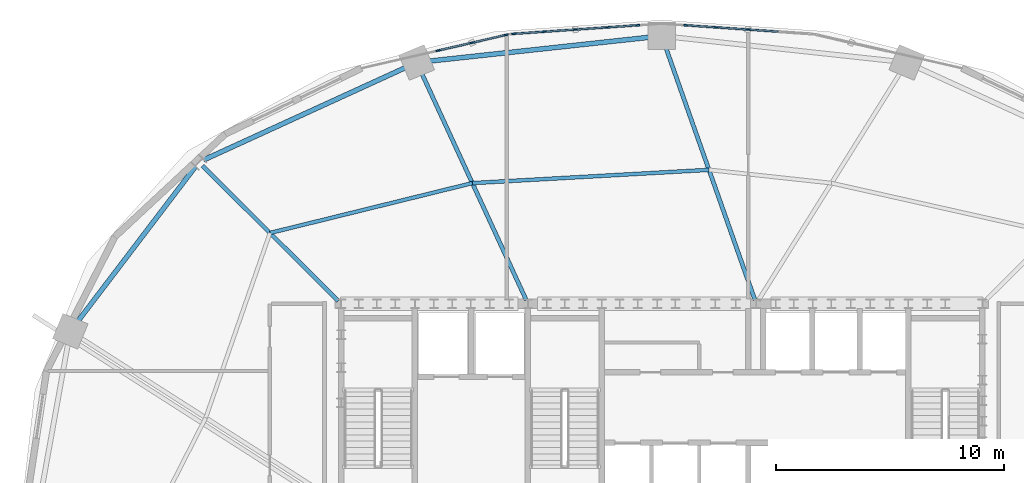
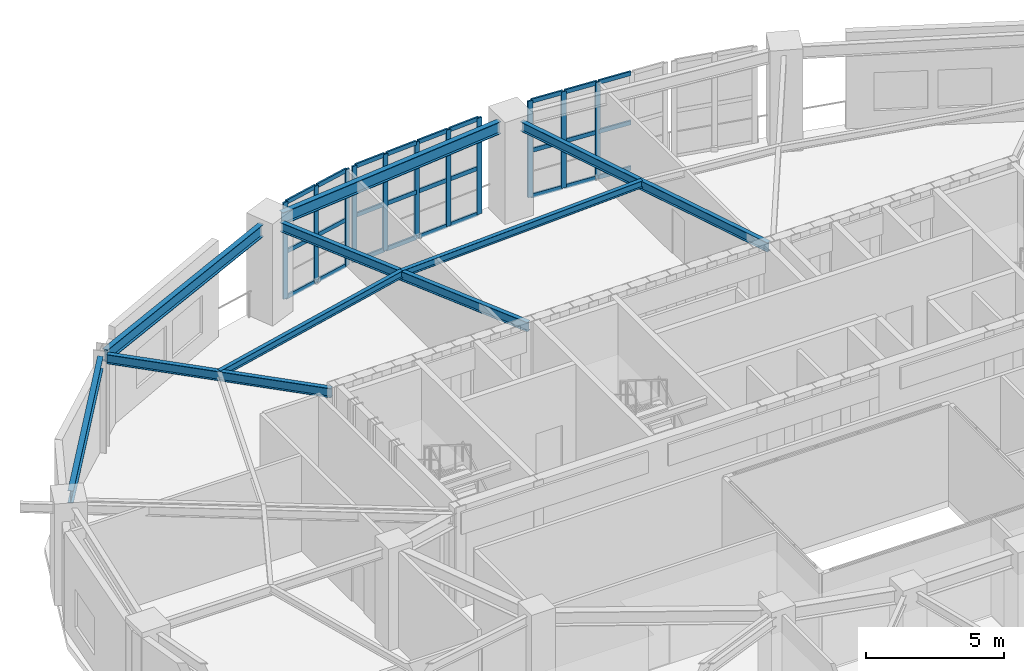
# One storey, part 7 of 16: 38 members, 8 beams, 3 elements without a shape of their own.
"""IFC4 building model written with IfcOpenShell, lengths in metres."""

from ifc_helpers import new_model, si_unit, direction, frame, origin, origin_2d, place, context, subcontext, project, spatial, rectangle, i_section, extrude, material, material_profile, profile_set, type_object, element, aggregate, save


model = new_model("IFC4")

# Units and contexts
model_context = context("Model", 3, precision=1e-05, world=origin(), true_north=direction((0.0, 1.0)))
body_context = subcontext(model_context, "Body", "Model", "MODEL_VIEW")
ifc_project = project(units=[si_unit("LENGTHUNIT", "METRE"), si_unit("AREAUNIT", "SQUARE_METRE"), si_unit("VOLUMEUNIT", "CUBIC_METRE"), si_unit("PLANEANGLEUNIT", "RADIAN"), si_unit("MASSUNIT", "GRAM", prefix="KILO")], contexts=[model_context])

# Site, building, storey
site_placement = place(None, origin())
site = spatial("IfcSite", under=ifc_project, at=site_placement, CompositionType="ELEMENT")
building_placement = place(site_placement, origin())
building = spatial("IfcBuilding", under=site, at=building_placement, Name="Haldorwick Loom Tower", CompositionType="ELEMENT")
storey_placement = place(building_placement, frame((0.0, 0.0, 200.35009765625)))
storey = spatial("IfcBuildingStorey", under=building, at=storey_placement, Name="L54", CompositionType="ELEMENT", Elevation=200.35009765625)

# Curtain wall, members
ifc_material_1 = material(Name="Thermally Broken Anodized Aluminium Curtain Wall Framing", Category="aluminium")
curtain_wall_type = type_object("IfcCurtainWallType", Name="ARC-CW-04", PredefinedType="NOTDEFINED", material=ifc_material_1)
curtain_wall_1_placement = place(storey_placement, origin())
curtain_wall_1 = element("IfcCurtainWall", 1, at=curtain_wall_1_placement, inside=storey, type_object=curtain_wall_type, Name="L54 Facade Curtain Wall CW-04 Bay 6", PredefinedType="NOTDEFINED")
ifc_material_profile_1 = material_profile(ifc_material_1, rectangle(XDim=0.072021484375, YDim=0.205078125, at=origin_2d()), Name="ALU_MUL_72X205", Category="aluminium")
ifc_profile_set_1 = profile_set([ifc_material_profile_1], Name="Thermally Broken Anodized Aluminium Curtain Wall Framing")
member_type_1 = type_object("IfcMemberType", Name="ARC-CWM-04", PredefinedType="MULLION", material=ifc_profile_set_1)
member_1_placement = place(storey_placement, frame((39.780029296875, 47.58544921875, 0.0), z_axis=(0.0, 0.0, 1.0), x_axis=(-0.068513392431, -0.997650196741, 0.0)))
member_1 = element("IfcMember", 2, at=member_1_placement, type_object=member_type_1, Name="CW-04 mullion 3", PredefinedType="MULLION", context=body_context, shape_type="SweptSolid", body=[
    extrude(rectangle(XDim=0.072021484375, YDim=0.205078125, at=origin_2d()), origin(), (0.0, 0.0, 1.0), 4.260009765625),
])
member_2_placement = place(storey_placement, frame((38.407470703125, 47.6796875, 0.0), z_axis=(0.0, 0.0, 1.0), x_axis=(-0.068513392431, -0.997650196741, 0.0)))
member_2 = element("IfcMember", 3, at=member_2_placement, type_object=member_type_1, Name="CW-04 mullion 4", PredefinedType="MULLION", context=body_context, shape_type="SweptSolid", body=[
    extrude(rectangle(XDim=0.072021484375, YDim=0.205078125, at=origin_2d()), origin(), (0.0, 0.0, 1.0), 4.260009765625),
])
member_3_placement = place(storey_placement, frame((37.070556640625, 47.771484375, 0.0), z_axis=(0.0, 0.0, 1.0), x_axis=(-0.068513392431, -0.997650196741, 0.0)))
member_3 = element("IfcMember", 4, at=member_3_placement, type_object=member_type_1, Name="CW-04 mullion 5", PredefinedType="MULLION", context=body_context, shape_type="SweptSolid", body=[
    extrude(rectangle(XDim=0.072021484375, YDim=0.205078125, at=origin_2d()), origin(), (0.0, 0.0, 1.0), 4.260009765625),
])

curtain_wall_2_placement = place(storey_placement, origin())
curtain_wall_2 = element("IfcCurtainWall", 5, at=curtain_wall_2_placement, inside=storey, type_object=curtain_wall_type, Name="L54 Facade Curtain Wall CW-04 Bay 7", PredefinedType="NOTDEFINED")
member_4_placement = place(storey_placement, frame((34.929443359375, 47.771484375, 0.0), z_axis=(0.0, 0.0, 1.0), x_axis=(0.068513392431, -0.997650196741, 0.0)))
member_4 = element("IfcMember", 6, at=member_4_placement, type_object=member_type_1, Name="CW-04 mullion 1", PredefinedType="MULLION", context=body_context, shape_type="SweptSolid", body=[
    extrude(rectangle(XDim=0.072021484375, YDim=0.205078125, at=origin_2d()), origin(), (0.0, 0.0, 1.0), 4.260009765625),
])
member_5_placement = place(storey_placement, frame((33.592529296875, 47.6796875, 0.0), z_axis=(0.0, 0.0, 1.0), x_axis=(0.068513392431, -0.997650196741, 0.0)))
member_5 = element("IfcMember", 7, at=member_5_placement, type_object=member_type_1, Name="CW-04 mullion 2", PredefinedType="MULLION", context=body_context, shape_type="SweptSolid", body=[
    extrude(rectangle(XDim=0.072021484375, YDim=0.205078125, at=origin_2d()), origin(), (0.0, 0.0, 1.0), 4.260009765625),
])
member_6_placement = place(storey_placement, frame((32.219970703125, 47.58544921875, 0.0), z_axis=(0.0, 0.0, 1.0), x_axis=(0.068513392431, -0.997650196741, 0.0)))
member_6 = element("IfcMember", 8, at=member_6_placement, type_object=member_type_1, Name="CW-04 mullion 3", PredefinedType="MULLION", context=body_context, shape_type="SweptSolid", body=[
    extrude(rectangle(XDim=0.072021484375, YDim=0.205078125, at=origin_2d()), origin(), (0.0, 0.0, 1.0), 4.260009765625),
])
member_7_placement = place(storey_placement, frame((30.84716796875, 47.490966796875, 0.0), z_axis=(0.0, 0.0, 1.0), x_axis=(0.068513392431, -0.997650196741, 0.0)))
member_7 = element("IfcMember", 9, at=member_7_placement, type_object=member_type_1, Name="CW-04 mullion 4", PredefinedType="MULLION", context=body_context, shape_type="SweptSolid", body=[
    extrude(rectangle(XDim=0.072021484375, YDim=0.205078125, at=origin_2d()), origin(), (0.0, 0.0, 1.0), 4.260009765625),
])
member_8_placement = place(storey_placement, frame((29.51025390625, 47.399169921875, 0.0), z_axis=(0.0, 0.0, 1.0), x_axis=(0.068513392431, -0.997650196741, 0.0)))
member_8 = element("IfcMember", 10, at=member_8_placement, type_object=member_type_1, Name="CW-04 mullion 5", PredefinedType="MULLION", context=body_context, shape_type="SweptSolid", body=[
    extrude(rectangle(XDim=0.072021484375, YDim=0.205078125, at=origin_2d()), origin(), (0.0, 0.0, 1.0), 4.260009765625),
])

curtain_wall_3_placement = place(storey_placement, origin())
curtain_wall_3 = element("IfcCurtainWall", 11, at=curtain_wall_3_placement, inside=storey, type_object=curtain_wall_type, Name="L54 Facade Curtain Wall CW-04 Bay 8", PredefinedType="NOTDEFINED")
member_9_placement = place(storey_placement, frame((29.1630859375, 47.34765625, 0.0), z_axis=(0.0, 0.0, 1.0), x_axis=(0.224141611493, -0.974556585323, 0.0)))
member_9 = element("IfcMember", 12, at=member_9_placement, type_object=member_type_1, Name="CW-04 mullion 1", PredefinedType="MULLION", context=body_context, shape_type="SweptSolid", body=[
    extrude(rectangle(XDim=0.072021484375, YDim=0.205078125, at=origin_2d()), origin(), (0.0, 0.0, 1.0), 4.260009765625),
])
member_10_placement = place(storey_placement, frame((27.67626953125, 47.005859375, 0.0), z_axis=(0.0, 0.0, 1.0), x_axis=(0.224141611493, -0.974556585323, 0.0)))
member_10 = element("IfcMember", 13, at=member_10_placement, type_object=member_type_1, Name="CW-04 mullion 2", PredefinedType="MULLION", context=body_context, shape_type="SweptSolid", body=[
    extrude(rectangle(XDim=0.072021484375, YDim=0.205078125, at=origin_2d()), origin(), (0.0, 0.0, 1.0), 4.260009765625),
])
member_11_placement = place(storey_placement, frame((26.189208984375, 46.663818359375, 0.0), z_axis=(0.0, 0.0, 1.0), x_axis=(0.224141611493, -0.974556585323, 0.0)))
member_11 = element("IfcMember", 14, at=member_11_placement, type_object=member_type_1, Name="CW-04 mullion 3", PredefinedType="MULLION", context=body_context, shape_type="SweptSolid", body=[
    extrude(rectangle(XDim=0.072021484375, YDim=0.205078125, at=origin_2d()), origin(), (0.0, 0.0, 1.0), 4.260009765625),
])

# Member
ifc_material_profile_2 = material_profile(ifc_material_1, rectangle(XDim=0.072021484375, YDim=0.18505859375, at=origin_2d()), Name="ALU_TRN_72X185", Category="aluminium")
ifc_profile_set_2 = profile_set([ifc_material_profile_2], Name="Thermally Broken Anodized Aluminium Curtain Wall Framing")
member_type_2 = type_object("IfcMemberType", Name="ARC-CWT-04", PredefinedType="USERDEFINED", material=ifc_profile_set_2)
member_12_placement = place(storey_placement, frame((41.116943359375, 47.49365234375, 0.035888671875), z_axis=(-0.997661690751, 0.068345817779, 0.0), x_axis=(-0.068345817779, -0.997661690751, 0.0)))
member_12 = element("IfcMember", 15, at=member_12_placement, type_object=member_type_2, Name="CW-04 transom 2.1", ObjectType="TRANSOM", PredefinedType="USERDEFINED", context=body_context, shape_type="SweptSolid", body=[
    extrude(rectangle(XDim=0.072021484375, YDim=0.18505859375, at=origin_2d()), origin(), (0.0, 0.0, 1.0), 1.3037109375),
])

member_13_placement = place(storey_placement, frame((41.116943359375, 47.49365234375, 2.0498046875), z_axis=(-0.997661690751, 0.068345817779, 0.0), x_axis=(-0.068345817779, -0.997661690751, 0.0)))
member_13 = element("IfcMember", 16, at=member_13_placement, type_object=member_type_2, Name="CW-04 transom 2.2", ObjectType="TRANSOM", PredefinedType="USERDEFINED", context=body_context, shape_type="SweptSolid", body=[
    extrude(rectangle(XDim=0.072021484375, YDim=0.18505859375, at=origin_2d()), origin(), (0.0, 0.0, 1.0), 1.3037109375),
])

member_14_placement = place(storey_placement, frame((41.116943359375, 47.49365234375, 4.223876953125), z_axis=(-0.997661690751, 0.068345817779, 0.0), x_axis=(-0.068345817779, -0.997661690751, 0.0)))
member_14 = element("IfcMember", 17, at=member_14_placement, type_object=member_type_2, Name="CW-04 transom 2.3", ObjectType="TRANSOM", PredefinedType="USERDEFINED", context=body_context, shape_type="SweptSolid", body=[
    extrude(rectangle(XDim=0.072021484375, YDim=0.18505859375, at=origin_2d()), origin(), (0.0, 0.0, 1.0), 1.3037109375),
])

member_15_placement = place(storey_placement, frame((39.744140625, 47.587890625, 0.035888671875), z_axis=(-0.997648905758, 0.068532188346, 0.0), x_axis=(-0.068532188346, -0.997648905758, 0.0)))
member_15 = element("IfcMember", 18, at=member_15_placement, type_object=member_type_2, Name="CW-04 transom 3.1", ObjectType="TRANSOM", PredefinedType="USERDEFINED", context=body_context, shape_type="SweptSolid", body=[
    extrude(rectangle(XDim=0.072021484375, YDim=0.18505859375, at=origin_2d()), origin(), (0.0, 0.0, 1.0), 1.303955078125),
])

member_16_placement = place(storey_placement, frame((39.744140625, 47.587890625, 2.0498046875), z_axis=(-0.997648905758, 0.068532188346, 0.0), x_axis=(-0.068532188346, -0.997648905758, 0.0)))
member_16 = element("IfcMember", 19, at=member_16_placement, type_object=member_type_2, Name="CW-04 transom 3.2", ObjectType="TRANSOM", PredefinedType="USERDEFINED", context=body_context, shape_type="SweptSolid", body=[
    extrude(rectangle(XDim=0.072021484375, YDim=0.18505859375, at=origin_2d()), origin(), (0.0, 0.0, 1.0), 1.303955078125),
])

member_17_placement = place(storey_placement, frame((39.744140625, 47.587890625, 4.223876953125), z_axis=(-0.997648905758, 0.068532188346, 0.0), x_axis=(-0.068532188346, -0.997648905758, 0.0)))
member_17 = element("IfcMember", 20, at=member_17_placement, type_object=member_type_2, Name="CW-04 transom 3.3", ObjectType="TRANSOM", PredefinedType="USERDEFINED", context=body_context, shape_type="SweptSolid", body=[
    extrude(rectangle(XDim=0.072021484375, YDim=0.18505859375, at=origin_2d()), origin(), (0.0, 0.0, 1.0), 1.303955078125),
])

member_18_placement = place(storey_placement, frame((38.371337890625, 47.68212890625, 0.035888671875), z_axis=(-0.997647615723, 0.068550965296, 0.0), x_axis=(-0.068550965296, -0.997647615723, 0.0)))
member_18 = element("IfcMember", 21, at=member_18_placement, type_object=member_type_2, Name="CW-04 transom 4.1", ObjectType="TRANSOM", PredefinedType="USERDEFINED", context=body_context, shape_type="SweptSolid", body=[
    extrude(rectangle(XDim=0.072021484375, YDim=0.18505859375, at=origin_2d()), origin(), (0.0, 0.0, 1.0), 1.267822265625),
])

member_19_placement = place(storey_placement, frame((38.371337890625, 47.68212890625, 2.0498046875), z_axis=(-0.997647615723, 0.068550965296, 0.0), x_axis=(-0.068550965296, -0.997647615723, 0.0)))
member_19 = element("IfcMember", 22, at=member_19_placement, type_object=member_type_2, Name="CW-04 transom 4.2", ObjectType="TRANSOM", PredefinedType="USERDEFINED", context=body_context, shape_type="SweptSolid", body=[
    extrude(rectangle(XDim=0.072021484375, YDim=0.18505859375, at=origin_2d()), origin(), (0.0, 0.0, 1.0), 1.267822265625),
])

member_20_placement = place(storey_placement, frame((38.371337890625, 47.68212890625, 4.223876953125), z_axis=(-0.997647615723, 0.068550965296, 0.0), x_axis=(-0.068550965296, -0.997647615723, 0.0)))
member_20 = element("IfcMember", 23, at=member_20_placement, type_object=member_type_2, Name="CW-04 transom 4.3", ObjectType="TRANSOM", PredefinedType="USERDEFINED", context=body_context, shape_type="SweptSolid", body=[
    extrude(rectangle(XDim=0.072021484375, YDim=0.18505859375, at=origin_2d()), origin(), (0.0, 0.0, 1.0), 1.267822265625),
])

aggregate(curtain_wall_1, [member_1, member_2, member_3, member_12, member_13, member_14, member_15, member_16, member_17, member_18, member_19, member_20])

member_21_placement = place(storey_placement, frame((34.8935546875, 47.76904296875, 0.035888671875), z_axis=(-0.997647615723, -0.068550965296, 0.0), x_axis=(0.068550965296, -0.997647615723, 0.0)))
member_21 = element("IfcMember", 24, at=member_21_placement, type_object=member_type_2, Name="CW-04 transom 1.1", ObjectType="TRANSOM", PredefinedType="USERDEFINED", context=body_context, shape_type="SweptSolid", body=[
    extrude(rectangle(XDim=0.072021484375, YDim=0.18505859375, at=origin_2d()), origin(), (0.0, 0.0, 1.0), 1.267822265625),
])

member_22_placement = place(storey_placement, frame((34.8935546875, 47.76904296875, 2.0498046875), z_axis=(-0.997647615723, -0.068550965296, 0.0), x_axis=(0.068550965296, -0.997647615723, 0.0)))
member_22 = element("IfcMember", 25, at=member_22_placement, type_object=member_type_2, Name="CW-04 transom 1.2", ObjectType="TRANSOM", PredefinedType="USERDEFINED", context=body_context, shape_type="SweptSolid", body=[
    extrude(rectangle(XDim=0.072021484375, YDim=0.18505859375, at=origin_2d()), origin(), (0.0, 0.0, 1.0), 1.267822265625),
])

member_23_placement = place(storey_placement, frame((34.8935546875, 47.76904296875, 4.223876953125), z_axis=(-0.997647615723, -0.068550965296, 0.0), x_axis=(0.068550965296, -0.997647615723, 0.0)))
member_23 = element("IfcMember", 26, at=member_23_placement, type_object=member_type_2, Name="CW-04 transom 1.3", ObjectType="TRANSOM", PredefinedType="USERDEFINED", context=body_context, shape_type="SweptSolid", body=[
    extrude(rectangle(XDim=0.072021484375, YDim=0.18505859375, at=origin_2d()), origin(), (0.0, 0.0, 1.0), 1.267822265625),
])

member_24_placement = place(storey_placement, frame((33.556640625, 47.67724609375, 0.035888671875), z_axis=(-0.997648905758, -0.068532188346, 0.0), x_axis=(0.068532188346, -0.997648905758, 0.0)))
member_24 = element("IfcMember", 27, at=member_24_placement, type_object=member_type_2, Name="CW-04 transom 2.1", ObjectType="TRANSOM", PredefinedType="USERDEFINED", context=body_context, shape_type="SweptSolid", body=[
    extrude(rectangle(XDim=0.072021484375, YDim=0.18505859375, at=origin_2d()), origin(), (0.0, 0.0, 1.0), 1.303955078125),
])

member_25_placement = place(storey_placement, frame((33.556640625, 47.67724609375, 2.0498046875), z_axis=(-0.997648905758, -0.068532188346, 0.0), x_axis=(0.068532188346, -0.997648905758, 0.0)))
member_25 = element("IfcMember", 28, at=member_25_placement, type_object=member_type_2, Name="CW-04 transom 2.2", ObjectType="TRANSOM", PredefinedType="USERDEFINED", context=body_context, shape_type="SweptSolid", body=[
    extrude(rectangle(XDim=0.072021484375, YDim=0.18505859375, at=origin_2d()), origin(), (0.0, 0.0, 1.0), 1.303955078125),
])

member_26_placement = place(storey_placement, frame((33.556640625, 47.67724609375, 4.223876953125), z_axis=(-0.997648905758, -0.068532188346, 0.0), x_axis=(0.068532188346, -0.997648905758, 0.0)))
member_26 = element("IfcMember", 29, at=member_26_placement, type_object=member_type_2, Name="CW-04 transom 2.3", ObjectType="TRANSOM", PredefinedType="USERDEFINED", context=body_context, shape_type="SweptSolid", body=[
    extrude(rectangle(XDim=0.072021484375, YDim=0.18505859375, at=origin_2d()), origin(), (0.0, 0.0, 1.0), 1.303955078125),
])

member_27_placement = place(storey_placement, frame((32.183837890625, 47.582763671875, 0.035888671875), z_axis=(-0.997661690751, -0.068345817779, 0.0), x_axis=(0.068345817779, -0.997661690751, 0.0)))
member_27 = element("IfcMember", 30, at=member_27_placement, type_object=member_type_2, Name="CW-04 transom 3.1", ObjectType="TRANSOM", PredefinedType="USERDEFINED", context=body_context, shape_type="SweptSolid", body=[
    extrude(rectangle(XDim=0.072021484375, YDim=0.18505859375, at=origin_2d()), origin(), (0.0, 0.0, 1.0), 1.3037109375),
])

member_28_placement = place(storey_placement, frame((32.183837890625, 47.582763671875, 2.0498046875), z_axis=(-0.997661690751, -0.068345817779, 0.0), x_axis=(0.068345817779, -0.997661690751, 0.0)))
member_28 = element("IfcMember", 31, at=member_28_placement, type_object=member_type_2, Name="CW-04 transom 3.2", ObjectType="TRANSOM", PredefinedType="USERDEFINED", context=body_context, shape_type="SweptSolid", body=[
    extrude(rectangle(XDim=0.072021484375, YDim=0.18505859375, at=origin_2d()), origin(), (0.0, 0.0, 1.0), 1.3037109375),
])

member_29_placement = place(storey_placement, frame((32.183837890625, 47.582763671875, 4.223876953125), z_axis=(-0.997661690751, -0.068345817779, 0.0), x_axis=(0.068345817779, -0.997661690751, 0.0)))
member_29 = element("IfcMember", 32, at=member_29_placement, type_object=member_type_2, Name="CW-04 transom 3.3", ObjectType="TRANSOM", PredefinedType="USERDEFINED", context=body_context, shape_type="SweptSolid", body=[
    extrude(rectangle(XDim=0.072021484375, YDim=0.18505859375, at=origin_2d()), origin(), (0.0, 0.0, 1.0), 1.3037109375),
])

member_30_placement = place(storey_placement, frame((30.811279296875, 47.488525390625, 0.035888671875), z_axis=(-0.997648520341, -0.068537798773, 0.0), x_axis=(0.068537798773, -0.997648520341, 0.0)))
member_30 = element("IfcMember", 33, at=member_30_placement, type_object=member_type_2, Name="CW-04 transom 4.1", ObjectType="TRANSOM", PredefinedType="USERDEFINED", context=body_context, shape_type="SweptSolid", body=[
    extrude(rectangle(XDim=0.072021484375, YDim=0.18505859375, at=origin_2d()), origin(), (0.0, 0.0, 1.0), 1.26806640625),
])

member_31_placement = place(storey_placement, frame((30.811279296875, 47.488525390625, 2.0498046875), z_axis=(-0.997648520341, -0.068537798773, 0.0), x_axis=(0.068537798773, -0.997648520341, 0.0)))
member_31 = element("IfcMember", 34, at=member_31_placement, type_object=member_type_2, Name="CW-04 transom 4.2", ObjectType="TRANSOM", PredefinedType="USERDEFINED", context=body_context, shape_type="SweptSolid", body=[
    extrude(rectangle(XDim=0.072021484375, YDim=0.18505859375, at=origin_2d()), origin(), (0.0, 0.0, 1.0), 1.26806640625),
])

member_32_placement = place(storey_placement, frame((30.811279296875, 47.488525390625, 4.223876953125), z_axis=(-0.997648520341, -0.068537798773, 0.0), x_axis=(0.068537798773, -0.997648520341, 0.0)))
member_32 = element("IfcMember", 35, at=member_32_placement, type_object=member_type_2, Name="CW-04 transom 4.3", ObjectType="TRANSOM", PredefinedType="USERDEFINED", context=body_context, shape_type="SweptSolid", body=[
    extrude(rectangle(XDim=0.072021484375, YDim=0.18505859375, at=origin_2d()), origin(), (0.0, 0.0, 1.0), 1.26806640625),
])

aggregate(curtain_wall_2, [member_4, member_5, member_6, member_7, member_8, member_21, member_22, member_23, member_24, member_25, member_26, member_27, member_28, member_29, member_30, member_31, member_32])

member_33_placement = place(storey_placement, frame((29.1279296875, 47.339599609375, 0.035888671875), z_axis=(-0.97458049406, -0.2240376321, 0.0), x_axis=(0.2240376321, -0.97458049406, 0.0)))
member_33 = element("IfcMember", 36, at=member_33_placement, type_object=member_type_2, Name="CW-04 transom 1.1", ObjectType="TRANSOM", PredefinedType="USERDEFINED", context=body_context, shape_type="SweptSolid", body=[
    extrude(rectangle(XDim=0.072021484375, YDim=0.18505859375, at=origin_2d()), origin(), (0.0, 0.0, 1.0), 1.45361328125),
])

member_34_placement = place(storey_placement, frame((29.1279296875, 47.339599609375, 2.0498046875), z_axis=(-0.97458049406, -0.2240376321, 0.0), x_axis=(0.2240376321, -0.97458049406, 0.0)))
member_34 = element("IfcMember", 37, at=member_34_placement, type_object=member_type_2, Name="CW-04 transom 1.2", ObjectType="TRANSOM", PredefinedType="USERDEFINED", context=body_context, shape_type="SweptSolid", body=[
    extrude(rectangle(XDim=0.072021484375, YDim=0.18505859375, at=origin_2d()), origin(), (0.0, 0.0, 1.0), 1.45361328125),
])

member_35_placement = place(storey_placement, frame((29.1279296875, 47.339599609375, 4.223876953125), z_axis=(-0.97458049406, -0.2240376321, 0.0), x_axis=(0.2240376321, -0.97458049406, 0.0)))
member_35 = element("IfcMember", 38, at=member_35_placement, type_object=member_type_2, Name="CW-04 transom 1.3", ObjectType="TRANSOM", PredefinedType="USERDEFINED", context=body_context, shape_type="SweptSolid", body=[
    extrude(rectangle(XDim=0.072021484375, YDim=0.18505859375, at=origin_2d()), origin(), (0.0, 0.0, 1.0), 1.45361328125),
])

member_36_placement = place(storey_placement, frame((27.64111328125, 46.997802734375, 0.035888671875), z_axis=(-0.974543812985, -0.224197137745, 0.0), x_axis=(0.224197137745, -0.974543812985, 0.0)))
member_36 = element("IfcMember", 39, at=member_36_placement, type_object=member_type_2, Name="CW-04 transom 2.1", ObjectType="TRANSOM", PredefinedType="USERDEFINED", context=body_context, shape_type="SweptSolid", body=[
    extrude(rectangle(XDim=0.072021484375, YDim=0.18505859375, at=origin_2d()), origin(), (0.0, 0.0, 1.0), 1.453857421875),
])

member_37_placement = place(storey_placement, frame((27.64111328125, 46.997802734375, 2.0498046875), z_axis=(-0.974543812985, -0.224197137745, 0.0), x_axis=(0.224197137745, -0.974543812985, 0.0)))
member_37 = element("IfcMember", 40, at=member_37_placement, type_object=member_type_2, Name="CW-04 transom 2.2", ObjectType="TRANSOM", PredefinedType="USERDEFINED", context=body_context, shape_type="SweptSolid", body=[
    extrude(rectangle(XDim=0.072021484375, YDim=0.18505859375, at=origin_2d()), origin(), (0.0, 0.0, 1.0), 1.453857421875),
])

member_38_placement = place(storey_placement, frame((27.64111328125, 46.997802734375, 4.223876953125), z_axis=(-0.974543812985, -0.224197137745, 0.0), x_axis=(0.224197137745, -0.974543812985, 0.0)))
member_38 = element("IfcMember", 41, at=member_38_placement, type_object=member_type_2, Name="CW-04 transom 2.3", ObjectType="TRANSOM", PredefinedType="USERDEFINED", context=body_context, shape_type="SweptSolid", body=[
    extrude(rectangle(XDim=0.072021484375, YDim=0.18505859375, at=origin_2d()), origin(), (0.0, 0.0, 1.0), 1.453857421875),
])

aggregate(curtain_wall_3, [member_9, member_10, member_11, member_33, member_34, member_35, member_36, member_37, member_38])

# Beams
ifc_material_2 = material(Name="Steel CSA G40.21 350W", Category="steel")
ifc_material_profile_3 = material_profile(ifc_material_2, i_section(OverallWidth=0.166015625, OverallDepth=0.31298828125, WebThickness=0.006591796875, FlangeThickness=0.01123046875, at=origin_2d()), Name="W310X45", Category="steel")
ifc_profile_set_3 = profile_set([ifc_material_profile_3], Name="Steel CSA G40.21 350W")
beam_type_1 = type_object("IfcBeamType", Name="STR-BM-J310", PredefinedType="JOIST", material=ifc_profile_set_3)
beam_1_placement = place(storey_placement, frame((38.074951171875, 41.427490234375, 4.103515625), z_axis=(-0.998432354117, -0.05597172726, 0.0), x_axis=(0.05597172726, -0.998432354117, 0.0)))
element("IfcBeam", 42, at=beam_1_placement, inside=storey, type_object=beam_type_1, Name="L54 Mid-Bay Secondary Joist 5", PredefinedType="JOIST", context=body_context, shape_type="SweptSolid", body=[
    extrude(i_section(OverallWidth=0.166015625, OverallDepth=0.31298828125, WebThickness=0.006591796875, FlangeThickness=0.01123046875, at=origin_2d()), origin(), (0.0, 0.0, 1.0), 10.403076171875),
])
beam_2_placement = place(storey_placement, frame((27.688232421875, 40.84521484375, 4.103515625), z_axis=(-0.970979703726, -0.239161901132, 0.0), x_axis=(0.239161901132, -0.970979703726, 0.0)))
element("IfcBeam", 43, at=beam_2_placement, inside=storey, type_object=beam_type_1, Name="L54 Mid-Bay Secondary Joist 6", PredefinedType="JOIST", context=body_context, shape_type="SweptSolid", body=[
    extrude(i_section(OverallWidth=0.166015625, OverallDepth=0.31298828125, WebThickness=0.006591796875, FlangeThickness=0.01123046875, at=origin_2d()), origin(), (0.0, 0.0, 1.0), 9.1474609375),
])
ifc_material_profile_4 = material_profile(ifc_material_2, i_section(OverallWidth=0.179931640625, OverallDepth=0.4130859375, WebThickness=0.009765625, FlangeThickness=0.01611328125, at=origin_2d()), Name="W410X74", Category="steel")
ifc_profile_set_4 = profile_set([ifc_material_profile_4], Name="Steel CSA G40.21 350W")
beam_type_2 = type_object("IfcBeamType", Name="STR-BM-J410", PredefinedType="JOIST", material=ifc_profile_set_4)
beam_3_placement = place(storey_placement, frame((40.0908203125, 35.7177734375, 4.053466796875), z_axis=(-0.332908014691, 0.942959306521, 0.0), x_axis=(-0.942959306521, -0.332908014691, 0.0)))
element("IfcBeam", 44, at=beam_3_placement, inside=storey, type_object=beam_type_2, Name="L54 Radial Floor Girder 5", PredefinedType="JOIST", context=body_context, shape_type="SweptSolid", body=[
    extrude(i_section(OverallWidth=0.179931640625, OverallDepth=0.4130859375, WebThickness=0.009765625, FlangeThickness=0.01611328125, at=origin_2d()), origin(), (0.0, 0.0, 1.0), 11.768310546875),
])
beam_4_placement = place(storey_placement, frame((30.055419921875, 35.711669921875, 4.053466796875), z_axis=(-0.418729142855, 0.908111174319, 0.0), x_axis=(-0.908111174319, -0.418729142855, 0.0)))
element("IfcBeam", 45, at=beam_4_placement, inside=storey, type_object=beam_type_2, Name="L54 Radial Floor Girder 6", PredefinedType="JOIST", context=body_context, shape_type="SweptSolid", body=[
    extrude(i_section(OverallWidth=0.179931640625, OverallDepth=0.4130859375, WebThickness=0.009765625, FlangeThickness=0.01611328125, at=origin_2d()), origin(), (0.0, 0.0, 1.0), 10.96435546875),
])
beam_5_placement = place(storey_placement, frame((21.8037109375, 35.675537109375, 4.053466796875), z_axis=(-0.708962390492, 0.70524628951, 0.0), x_axis=(-0.70524628951, -0.708962390492, 0.0)))
element("IfcBeam", 46, at=beam_5_placement, inside=storey, type_object=beam_type_2, Name="L54 Radial Floor Girder 7", PredefinedType="JOIST", context=body_context, shape_type="SweptSolid", body=[
    extrude(i_section(OverallWidth=0.179931640625, OverallDepth=0.4130859375, WebThickness=0.009765625, FlangeThickness=0.01611328125, at=origin_2d()), origin(), (0.0, 0.0, 1.0), 8.409423828125),
])
ifc_material_profile_5 = material_profile(ifc_material_2, i_section(OverallWidth=0.2119140625, OverallDepth=0.5439453125, WebThickness=0.01318359375, FlangeThickness=0.021240234375, at=origin_2d()), Name="W530X123", Category="steel")
ifc_profile_set_5 = profile_set([ifc_material_profile_5], Name="Steel CSA G40.21 350W")
beam_type_3 = type_object("IfcBeamType", Name="STR-BM-SP530", PredefinedType="SPANDREL", material=ifc_profile_set_5)
beam_6_placement = place(storey_placement, frame((35.48291015625, 47.2490234375, 3.98779296875), z_axis=(-0.994187774205, -0.107659972233, 0.0), x_axis=(0.107659972233, -0.994187774205, 0.0)))
element("IfcBeam", 47, at=beam_6_placement, inside=storey, type_object=beam_type_3, Name="L54 Perimeter Spandrel 5", PredefinedType="SPANDREL", context=body_context, shape_type="SweptSolid", body=[
    extrude(i_section(OverallWidth=0.2119140625, OverallDepth=0.5439453125, WebThickness=0.01318359375, FlangeThickness=0.021240234375, at=origin_2d()), origin(), (0.0, 0.0, 1.0), 9.776123046875),
])
beam_7_placement = place(storey_placement, frame((24.773681640625, 45.92431640625, 3.98779296875), z_axis=(-0.909342182232, -0.416049030299, 0.0), x_axis=(0.416049030299, -0.909342182232, 0.0)))
element("IfcBeam", 48, at=beam_7_placement, inside=storey, type_object=beam_type_3, Name="L54 Perimeter Spandrel 6", PredefinedType="SPANDREL", context=body_context, shape_type="SweptSolid", body=[
    extrude(i_section(OverallWidth=0.2119140625, OverallDepth=0.5439453125, WebThickness=0.01318359375, FlangeThickness=0.021240234375, at=origin_2d()), origin(), (0.0, 0.0, 1.0), 9.772705078125),
])
beam_8_placement = place(storey_placement, frame((15.546142578125, 41.585693359375, 3.98779296875), z_axis=(-0.605236944797, -0.796045376001, 0.0), x_axis=(0.796045376001, -0.605236944797, 0.0)))
element("IfcBeam", 49, at=beam_8_placement, inside=storey, type_object=beam_type_3, Name="L54 Perimeter Spandrel 7", PredefinedType="SPANDREL", context=body_context, shape_type="SweptSolid", body=[
    extrude(i_section(OverallWidth=0.2119140625, OverallDepth=0.5439453125, WebThickness=0.01318359375, FlangeThickness=0.021240234375, at=origin_2d()), origin(), (0.0, 0.0, 1.0), 8.5791015625),
])

save(model, "model.ifc")
